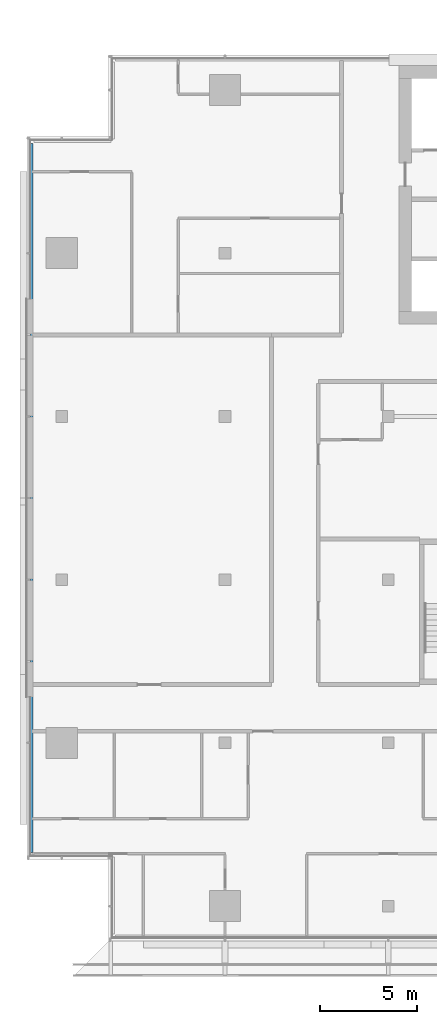
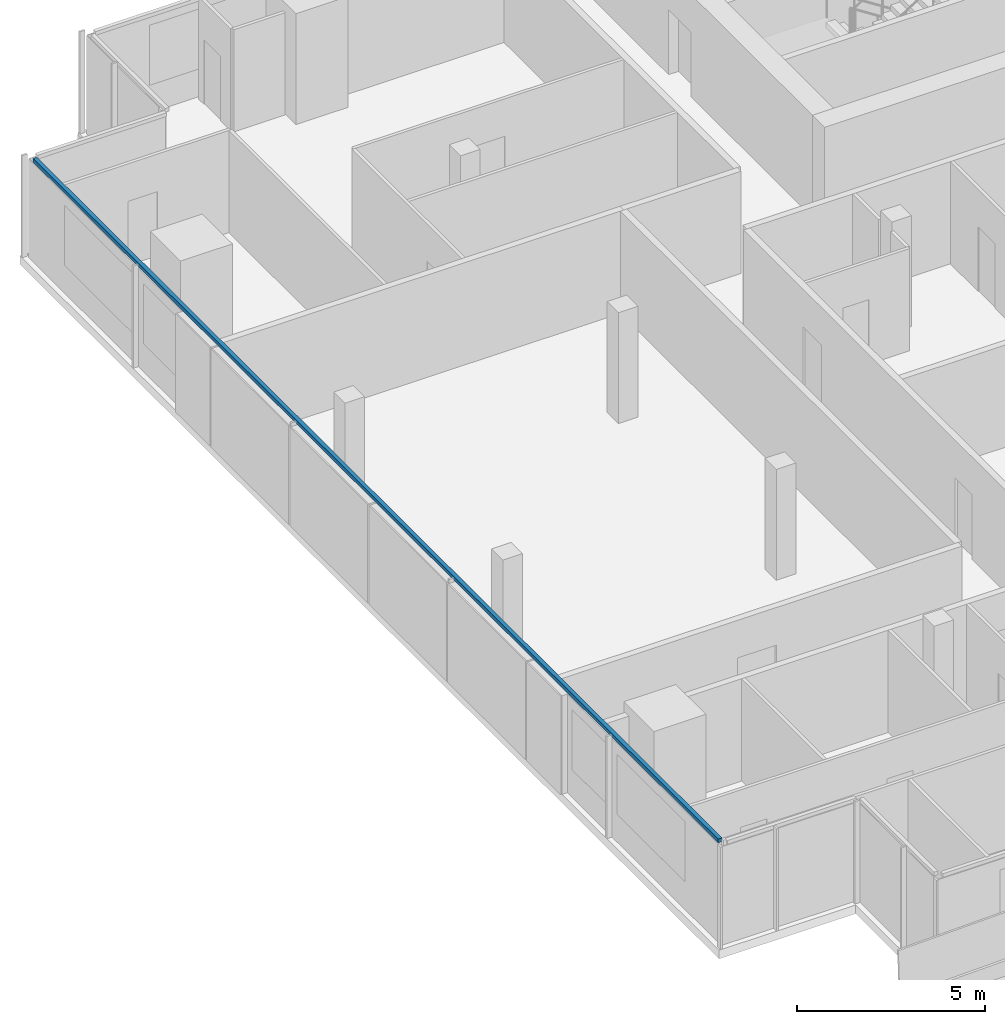
# One storey, part 5 of 31: 1 member, 1 element without a shape of its own.
"""IFC4 building model written with IfcOpenShell, lengths in metres."""

from ifc_helpers import new_model, si_unit, direction, frame, origin, origin_2d, place, context, subcontext, project, spatial, rectangle, extrude, material, material_profile, profile_set, type_object, element, aggregate, save


model = new_model("IFC4")

# Units and contexts
model_context = context("Model", 3, precision=1e-05, world=origin(), true_north=direction((0.0, 1.0)))
body_context = subcontext(model_context, "Body", "Model", "MODEL_VIEW")
ifc_project = project(units=[si_unit("LENGTHUNIT", "METRE"), si_unit("AREAUNIT", "SQUARE_METRE"), si_unit("VOLUMEUNIT", "CUBIC_METRE"), si_unit("PLANEANGLEUNIT", "RADIAN"), si_unit("MASSUNIT", "GRAM", prefix="KILO")], contexts=[model_context])

# Site, building, storey
site_placement = place(None, origin())
site = spatial("IfcSite", under=ifc_project, at=site_placement, CompositionType="ELEMENT")
building_placement = place(site_placement, origin())
building = spatial("IfcBuilding", under=site, at=building_placement, Name="Saffron Gate Tower", CompositionType="ELEMENT")
storey_placement = place(building_placement, frame((0.0, 0.0, 205.5)))
storey = spatial("IfcBuildingStorey", under=building, at=storey_placement, Name="L49", CompositionType="ELEMENT", Elevation=205.5)

# Curtain wall, member
ifc_material = material(Name="Aluminium, bronze anodised", Category="aluminium")
curtain_wall_type = type_object("IfcCurtainWallType", Name="CWS2 curtain wall side facades", PredefinedType="NOTDEFINED", material=ifc_material)
curtain_wall_placement = place(storey_placement, origin())
curtain_wall = element("IfcCurtainWall", 1, at=curtain_wall_placement, inside=storey, type_object=curtain_wall_type, Name="CWS2 run 10", PredefinedType="NOTDEFINED")
ifc_material_profile = material_profile(ifc_material, rectangle(XDim=0.1201171875, YDim=0.1201171875, at=origin_2d()))
ifc_profile_set = profile_set([ifc_material_profile], Name="Aluminium, bronze anodised")
member_type = type_object("IfcMemberType", Name="CWS2 head transom", PredefinedType="USERDEFINED", material=ifc_profile_set)
member_placement = place(storey_placement, frame((48.248046875, 71.031982421875, 3.260009765625), z_axis=(0.0, -1.0, 0.0), x_axis=(1.0, 0.0, 0.0)))
member = element("IfcMember", 2, at=member_placement, type_object=member_type, Name="CWS2 head transom", ObjectType="TRANSOM", PredefinedType="USERDEFINED", context=body_context, shape_type="SweptSolid", body=[
    extrude(rectangle(XDim=0.1201171875, YDim=0.1201171875, at=origin_2d()), origin(), (0.0, 0.0, 1.0), 36.4638671875),
])
aggregate(curtain_wall, [member])

save(model, "model.ifc")
